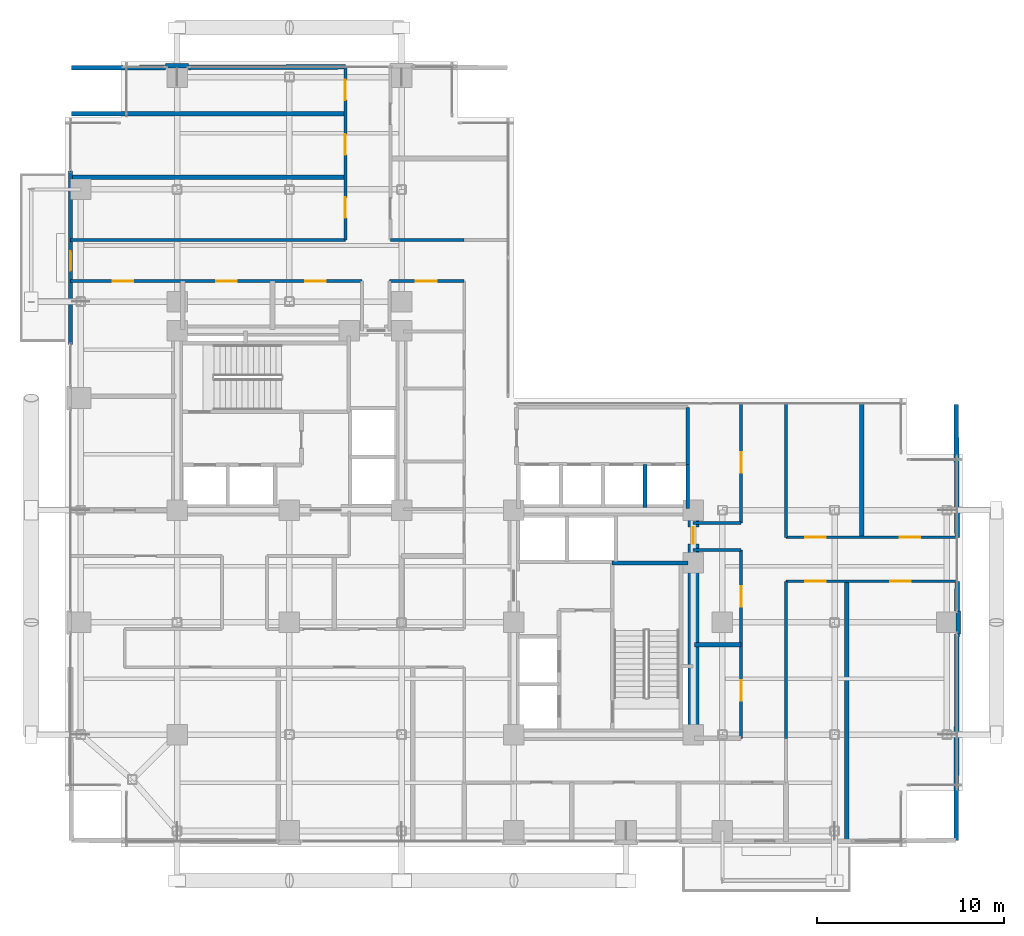
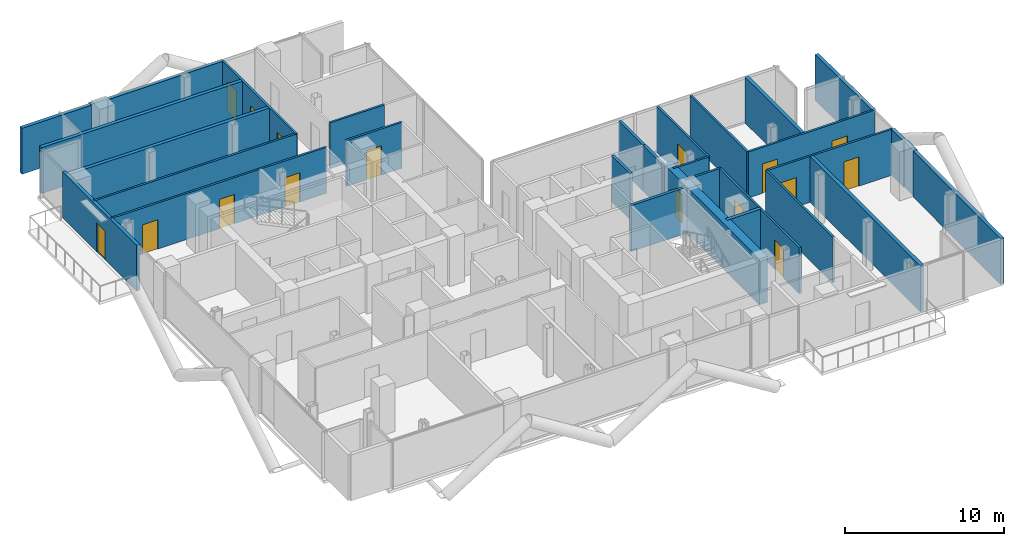
# One storey, part 24 of 28: 31 walls, 16 doors, 16 openings.
"""IFC4 building model written with IfcOpenShell, lengths in metres."""

from ifc_helpers import new_model, si_unit, direction, frame, frame_2d, origin, place, context, subcontext, project, spatial, rectangle, extrude, material, layer, layer_set, type_object, element, fill, save


model = new_model("IFC4")

# Units and contexts
model_context = context("Model", 3, precision=1e-05, world=origin(), true_north=direction((0.0, 1.0)))
body_context = subcontext(model_context, "Body", "Model", "MODEL_VIEW")
ifc_project = project(units=[si_unit("LENGTHUNIT", "METRE"), si_unit("AREAUNIT", "SQUARE_METRE"), si_unit("VOLUMEUNIT", "CUBIC_METRE"), si_unit("PLANEANGLEUNIT", "RADIAN"), si_unit("MASSUNIT", "GRAM", prefix="KILO"), si_unit("THERMODYNAMICTEMPERATUREUNIT", "KELVIN"), si_unit("POWERUNIT", "WATT")], contexts=[model_context])

# Site, building, storey
site_placement = place(None, origin())
site = spatial("IfcSite", under=ifc_project, at=site_placement, CompositionType="ELEMENT")
building_placement = place(site_placement, origin())
building = spatial("IfcBuilding", under=site, at=building_placement, Name="Svarakhadi Broadcast Tower", CompositionType="ELEMENT")
storey_placement = place(building_placement, frame((0.0, 0.0, 134.39990234375)))
storey = spatial("IfcBuildingStorey", under=building, at=storey_placement, Name="L32", CompositionType="ELEMENT", Elevation=134.39990234375)

# Walls
ifc_material_1 = material(Name="Double-Stud Acoustic Studio Partition STC-62", Category="gypsum")
ifc_layer_1 = layer(ifc_material_1, 0.25)
ifc_layer_set_1 = layer_set([ifc_layer_1], Name="Double-Stud Acoustic Studio Partition STC-62")
wall_type_1 = type_object("IfcWallType", Name="Wall_Acoust_250", PredefinedType="PARTITIONING", material=ifc_layer_set_1)
wall_1_placement = place(storey_placement, frame((33.64990234375, 10.800048828125, 0.0), z_axis=(0.0, 0.0, 1.0), x_axis=(1.0, 0.0, 0.0)))
element("IfcWall", 1, at=wall_1_placement, inside=storey, type_object=wall_type_1, Name="L32 Media Playout Monitoring Office Wall", PredefinedType="PARTITIONING", context=body_context, shape_type="SweptSolid", body=[
    extrude(rectangle(XDim=2.5, YDim=0.25, at=frame_2d((1.25, 0.0))), origin(), (0.0, 0.0, 1.0), 3.525146484375),
])
wall_2_placement = place(storey_placement, frame((41.800048828125, 0.300048828125, 0.0), z_axis=(0.0, 0.0, 1.0), x_axis=(0.0, 1.0, 0.0)))
element("IfcWall", 2, at=wall_2_placement, inside=storey, type_object=wall_type_1, Name="L32 Press Junket Interview Room Wall", PredefinedType="PARTITIONING", context=body_context, shape_type="SweptSolid", body=[
    extrude(rectangle(XDim=13.89990234375, YDim=0.25, at=frame_2d((6.949951171875, 0.0))), origin(), (0.0, 0.0, 1.0), 3.525146484375),
])
wall_3_placement = place(storey_placement, frame((47.64990234375, 0.35009765625, 0.0), z_axis=(0.0, 0.0, 1.0), x_axis=(0.003606251025, 0.999993497456, 0.0)))
element("IfcWall", 3, at=wall_3_placement, inside=storey, type_object=wall_type_1, Name="L32 Publicity Lounge Wall", PredefinedType="PARTITIONING", context=body_context, shape_type="SweptSolid", body=[
    extrude(rectangle(XDim=11.034912109375, YDim=0.25, at=frame_2d((5.517578125, 0.0))), origin(), (0.0, 0.0, 1.0), 3.525146484375),
])
wall_4_placement = place(storey_placement, frame((47.6943359375, 12.614990234375, 0.0), z_axis=(0.0, 0.0, 1.0), x_axis=(0.003542799701, 0.999993724265, 0.0)))
element("IfcWall", 4, at=wall_4_placement, inside=storey, type_object=wall_type_1, Name="L32 Publicity Lounge Wall", PredefinedType="PARTITIONING", context=body_context, shape_type="SweptSolid", body=[
    extrude(rectangle(XDim=1.5849609375, YDim=0.25, at=frame_2d((0.79248046875, 0.0))), origin(), (0.0, 0.0, 1.0), 3.525146484375),
])
wall_5_placement = place(storey_placement, frame((42.60009765625, 16.550048828125, 0.0), z_axis=(0.0, 0.0, 1.0), x_axis=(0.0, 1.0, 0.0)))
element("IfcWall", 5, at=wall_5_placement, inside=storey, type_object=wall_type_1, Name="L32 Broadcast Graphics Room Wall", PredefinedType="PARTITIONING", context=body_context, shape_type="SweptSolid", body=[
    extrude(rectangle(XDim=7.14990234375, YDim=0.25, at=frame_2d((3.574951171875, 0.0))), origin(), (0.0, 0.0, 1.0), 3.525146484375),
])
wall_6_placement = place(storey_placement, frame((47.699951171875, 16.550048828125, 0.0), z_axis=(0.0, 0.0, 1.0), x_axis=(-0.007049101019, 0.999975154779, 0.0)))
element("IfcWall", 6, at=wall_6_placement, inside=storey, type_object=wall_type_1, Name="L32 Graphics Workstation Office Wall", PredefinedType="PARTITIONING", context=body_context, shape_type="SweptSolid", body=[
    extrude(rectangle(XDim=7.10009765625, YDim=0.25, at=frame_2d((3.550048828125, 0.0))), origin(), (0.0, 0.0, 1.0), 3.525146484375),
])
wall_7_placement = place(storey_placement, frame((0.300048828125, 35.800048828125, 0.0), z_axis=(0.0, 0.0, 1.0), x_axis=(1.0, 0.0, 0.0)))
element("IfcWall", 7, at=wall_7_placement, inside=storey, type_object=wall_type_1, Name="L32 Distribution Deal Boardroom Wall", PredefinedType="PARTITIONING", context=body_context, shape_type="SweptSolid", body=[
    extrude(rectangle(XDim=14.699951171875, YDim=0.25, at=frame_2d((7.35009765625, 0.0))), origin(), (0.0, 0.0, 1.0), 3.525146484375),
])
wall_8_placement = place(storey_placement, frame((0.35009765625, 39.199951171875, 0.0), z_axis=(0.0, 0.0, 1.0), x_axis=(1.0, 0.0, 0.0)))
element("IfcWall", 8, at=wall_8_placement, inside=storey, type_object=wall_type_1, Name="L32 Festival Selection Room Wall", PredefinedType="PARTITIONING", context=body_context, shape_type="SweptSolid", body=[
    extrude(rectangle(XDim=14.64990234375, YDim=0.25, at=frame_2d((7.324951171875, 0.0))), origin(), (0.0, 0.0, 1.0), 3.525146484375),
])
wall_9_placement = place(storey_placement, frame((0.35009765625, 41.64990234375, 0.0), z_axis=(0.0, 0.0, 1.0), x_axis=(0.999994073761, 0.003442737683, 0.0)))
element("IfcWall", 9, at=wall_9_placement, inside=storey, type_object=wall_type_1, Name="L32 Publicist Office Wall", PredefinedType="PARTITIONING", context=body_context, shape_type="SweptSolid", body=[
    extrude(rectangle(XDim=5.034912109375, YDim=0.25, at=frame_2d((2.517578125, 0.0))), origin(), (0.0, 0.0, 1.0), 3.525146484375),
])
wall_10_placement = place(storey_placement, frame((6.614990234375, 41.67138671875, 0.0), z_axis=(0.0, 0.0, 1.0), x_axis=(0.999994197557, 0.003406589638, 0.0)))
element("IfcWall", 10, at=wall_10_placement, inside=storey, type_object=wall_type_1, Name="L32 Publicist Office Wall", PredefinedType="PARTITIONING", context=body_context, shape_type="SweptSolid", body=[
    extrude(rectangle(XDim=8.385009765625, YDim=0.25, at=frame_2d((4.1923828125, 0.0))), origin(), (0.0, 0.0, 1.0), 3.525146484375),
])

# Wall, opening, door
ifc_material_2 = material(Name="Concrete C40/50 (IS 456 M50)", Category="concrete")
ifc_layer_2 = layer(ifc_material_2, 0.239990234375)
ifc_layer_set_2 = layer_set([ifc_layer_2], Name="Concrete C40/50 (IS 456 M50)")
wall_type_2 = type_object("IfcWallType", Name="Wall_Ext_240", PredefinedType="SOLIDWALL", material=ifc_layer_set_2)
wall_11_placement = place(storey_placement, frame((0.300048828125, 26.85498046875, 0.0), z_axis=(0.0, 0.0, 1.0), x_axis=(0.0, 1.0, 0.0)))
wall_11 = element("IfcWall", 11, at=wall_11_placement, inside=storey, type_object=wall_type_2, Name="L32 West Tree Balcony Spandrel Wall", PredefinedType="SOLIDWALL", context=body_context, shape_type="SweptSolid", body=[
    extrude(rectangle(XDim=9.2900390625, YDim=0.239990234375, at=frame_2d((4.64501953125, 0.0))), origin(), (0.0, 0.0, 1.0), 3.525146484375),
])
opening_1_placement = place(wall_11_placement, frame((3.945068359375, 0.0, 0.0)))
opening_1 = element("IfcOpeningElement", 12, at=opening_1_placement, cuts=wall_11, Name="Opening ED-05", PredefinedType="OPENING", context=body_context, shape_type="SweptSolid", body=[
    extrude(rectangle(XDim=1.050048828125, YDim=2.199951171875, at=frame_2d((0.52490234375, 1.10009765625))), frame((0.0, 0.1298828125, 0.0), z_axis=(0.0, -1.0, 0.0), x_axis=(1.0, 0.0, 0.0)), (0.0, 0.0, 1.0), 0.260009765625),
])
ifc_material_3 = material(Name="Anodised Bronze Aluminium AA 6063-T6", Category="aluminium")
door_type_1 = type_object("IfcDoorType", Name="Door_Ext_ED05", OperationType="SINGLE_SWING_LEFT", PredefinedType="DOOR", material=ifc_material_3)
door_1_placement = place(opening_1_placement, origin())
door_1 = element("IfcDoor", 13, at=door_1_placement, inside=storey, type_object=door_type_1, Name="L32 West Tree Balcony Door", OperationType="SINGLE_SWING_LEFT", OverallHeight=2.199951171875, OverallWidth=1.050048828125, PredefinedType="DOOR", context=body_context, shape_type="SweptSolid", body=[
    extrude(rectangle(XDim=1.050048828125, YDim=2.199951171875, at=frame_2d((0.52490234375, 1.10009765625))), frame((0.0, 0.02490234375, 0.0), z_axis=(0.0, -1.0, 0.0), x_axis=(1.0, 0.0, 0.0)), (0.0, 0.0, 1.0), 0.050048828125),
])
fill(opening_1, door_1)

# Walls
for number, where, z_axis, x_axis, name in (
    (14, (5.385009765625, 41.760009765625, 0.0), (0.0, 0.0, 1.0), (1.0, 0.0, 0.0), "L32 Perimeter Bronze Spandrel Closure Wall 03"),
    (15, (47.760009765625, 12.614990234375, 0.0), (0.0, 0.0, 1.0), (0.0, -1.0, 0.0), "L32 Perimeter Bronze Spandrel Closure Wall 05"),
):
    element("IfcWall", number, at=place(storey_placement, frame(where, z_axis=z_axis, x_axis=x_axis)), inside=storey, type_object=wall_type_2, Name=name, PredefinedType="SOLIDWALL", context=body_context, shape_type="SweptSolid", body=[
        extrude(rectangle(XDim=1.22998046875, YDim=0.239990234375, at=frame_2d((0.614990234375, 0.0))), origin(), (0.0, 0.0, 1.0), 3.525146484375),
    ])

# Wall, openings, doors
ifc_material_4 = material(Name="Autoclaved Aerated Concrete Blockwork 150 mm", Category="masonry")
ifc_layer_3 = layer(ifc_material_4, 0.14990234375)
ifc_layer_set_3 = layer_set([ifc_layer_3], Name="Autoclaved Aerated Concrete Blockwork 150 mm")
wall_type_3 = type_object("IfcWallType", Name="Wall_Part_150", PredefinedType="PARTITIONING", material=ifc_layer_set_3)
wall_12_placement = place(storey_placement, frame((36.14990234375, 5.800048828125, 0.0), z_axis=(0.0, 0.0, 1.0), x_axis=(0.0, 1.0, 0.0)))
wall_12 = element("IfcWall", 16, at=wall_12_placement, inside=storey, type_object=wall_type_3, Name="L32 Zone 2/3 Corridor Wall", PredefinedType="PARTITIONING", context=body_context, shape_type="SweptSolid", body=[
    extrude(rectangle(XDim=10.079833984375, YDim=0.14990234375, at=frame_2d((5.0400390625, 0.0))), origin(), (0.0, 0.0, 1.0), 3.525146484375),
])
opening_2_placement = place(wall_12_placement, frame((2.0, 0.0, 0.0)))
opening_2 = element("IfcOpeningElement", 17, at=opening_2_placement, cuts=wall_12, Name="Opening D-11", PredefinedType="OPENING", context=body_context, shape_type="SweptSolid", body=[
    extrude(rectangle(XDim=1.10009765625, YDim=2.25, at=frame_2d((0.550048828125, 1.125))), frame((0.0, 0.0849609375, 0.0), z_axis=(0.0, -1.0, 0.0), x_axis=(1.0, 0.0, 0.0)), (0.0, 0.0, 1.0), 0.169921875),
])
opening_3_placement = place(wall_12_placement, frame((7.0400390625, 0.0, 0.0)))
opening_3 = element("IfcOpeningElement", 18, at=opening_3_placement, cuts=wall_12, Name="Opening D-11", PredefinedType="OPENING", context=body_context, shape_type="SweptSolid", body=[
    extrude(rectangle(XDim=1.10009765625, YDim=2.25, at=frame_2d((0.550048828125, 1.125))), frame((0.0, 0.0849609375, 0.0), z_axis=(0.0, -1.0, 0.0), x_axis=(1.0, 0.0, 0.0)), (0.0, 0.0, 1.0), 0.169921875),
])
ifc_material_5 = material(Name="Solid-Core Teak Veneer Acoustic Timber Leaf", Category="wood")
door_type_2 = type_object("IfcDoorType", Name="Door_Acoust_D11", OperationType="SINGLE_SWING_RIGHT", PredefinedType="DOOR", material=ifc_material_5)
door_2_placement = place(opening_2_placement, origin())
door_2 = element("IfcDoor", 19, at=door_2_placement, inside=storey, type_object=door_type_2, Name="L32 Media Playout Monitoring Office Door", OperationType="SINGLE_SWING_RIGHT", OverallHeight=2.25, OverallWidth=1.10009765625, PredefinedType="DOOR", context=body_context, shape_type="SweptSolid", body=[
    extrude(rectangle(XDim=1.10009765625, YDim=2.25, at=frame_2d((0.550048828125, 1.125))), frame((0.0, 0.02490234375, 0.0), z_axis=(0.0, -1.0, 0.0), x_axis=(1.0, 0.0, 0.0)), (0.0, 0.0, 1.0), 0.050048828125),
])
fill(opening_2, door_2)
door_3_placement = place(opening_3_placement, origin())
door_3 = element("IfcDoor", 20, at=door_3_placement, inside=storey, type_object=door_type_2, Name="L32 Broadcast Ingest Studio Door", OperationType="SINGLE_SWING_RIGHT", OverallHeight=2.25, OverallWidth=1.10009765625, PredefinedType="DOOR", context=body_context, shape_type="SweptSolid", body=[
    extrude(rectangle(XDim=1.10009765625, YDim=2.25, at=frame_2d((0.550048828125, 1.125))), frame((0.0, 0.02490234375, 0.0), z_axis=(0.0, -1.0, 0.0), x_axis=(1.0, 0.0, 0.0)), (0.0, 0.0, 1.0), 0.050048828125),
])
fill(opening_3, door_3)

# Walls
for number, where, z_axis, x_axis, name in (
    (21, (36.14990234375, 15.8798828125, 0.0), (0.0, 0.0, 1.0), (-1.0, 0.0, 0.0), "L32 Zone 2/3 Corridor Wall"),
    (22, (33.580078125, 17.320068359375, 0.0), (0.0, 0.0, 1.0), (1.0, 0.0, 0.0), "L32 Zone 2/3 Corridor Wall"),
):
    element("IfcWall", number, at=place(storey_placement, frame(where, z_axis=z_axis, x_axis=x_axis)), inside=storey, type_object=wall_type_3, Name=name, PredefinedType="PARTITIONING", context=body_context, shape_type="SweptSolid", body=[
        extrude(rectangle(XDim=2.56982421875, YDim=0.14990234375, at=frame_2d((1.284912109375, 0.0))), origin(), (0.0, 0.0, 1.0), 3.525146484375),
    ])

# Wall, opening, door
wall_13_placement = place(storey_placement, frame((36.14990234375, 17.320068359375, 0.0), z_axis=(0.0, 0.0, 1.0), x_axis=(0.0, 1.0, 0.0)))
wall_13 = element("IfcWall", 23, at=wall_13_placement, inside=storey, type_object=wall_type_3, Name="L32 Zone 2/3 Corridor Wall", PredefinedType="PARTITIONING", context=body_context, shape_type="SweptSolid", body=[
    extrude(rectangle(XDim=6.3798828125, YDim=0.14990234375, at=frame_2d((3.18994140625, 0.0))), origin(), (0.0, 0.0, 1.0), 3.525146484375),
])
opening_4_placement = place(wall_13_placement, frame((2.679931640625, 0.0, 0.0)))
opening_4 = element("IfcOpeningElement", 24, at=opening_4_placement, cuts=wall_13, Name="Opening D-11", PredefinedType="OPENING", context=body_context, shape_type="SweptSolid", body=[
    extrude(rectangle(XDim=1.10009765625, YDim=2.25, at=frame_2d((0.550048828125, 1.125))), frame((0.0, 0.0849609375, 0.0), z_axis=(0.0, -1.0, 0.0), x_axis=(1.0, 0.0, 0.0)), (0.0, 0.0, 1.0), 0.169921875),
])
door_4_placement = place(opening_4_placement, origin())
door_4 = element("IfcDoor", 25, at=door_4_placement, inside=storey, type_object=door_type_2, Name="L32 Post-Production Coordination Office Door", OperationType="SINGLE_SWING_RIGHT", OverallHeight=2.25, OverallWidth=1.10009765625, PredefinedType="DOOR", context=body_context, shape_type="SweptSolid", body=[
    extrude(rectangle(XDim=1.10009765625, YDim=2.25, at=frame_2d((0.550048828125, 1.125))), frame((0.0, 0.02490234375, 0.0), z_axis=(0.0, -1.0, 0.0), x_axis=(1.0, 0.0, 0.0)), (0.0, 0.0, 1.0), 0.050048828125),
])
fill(opening_4, door_4)

# Wall
wall_14_placement = place(storey_placement, frame((38.550048828125, 23.699951171875, 0.0), z_axis=(0.0, 0.0, 1.0), x_axis=(0.0, -1.0, 0.0)))
element("IfcWall", 26, at=wall_14_placement, inside=storey, type_object=wall_type_3, Name="L32 Zone 2/3 Corridor Wall", PredefinedType="PARTITIONING", context=body_context, shape_type="SweptSolid", body=[
    extrude(rectangle(XDim=7.14990234375, YDim=0.14990234375, at=frame_2d((3.574951171875, 0.0))), origin(), (0.0, 0.0, 1.0), 3.525146484375),
])

# Wall, openings, doors
wall_15_placement = place(storey_placement, frame((38.550048828125, 16.550048828125, 0.0), z_axis=(0.0, 0.0, 1.0), x_axis=(1.0, 0.0, 0.0)))
wall_15 = element("IfcWall", 27, at=wall_15_placement, inside=storey, type_object=wall_type_3, Name="L32 Zone 2/3 Corridor Wall", PredefinedType="PARTITIONING", context=body_context, shape_type="SweptSolid", body=[
    extrude(rectangle(XDim=9.14990234375, YDim=0.14990234375, at=frame_2d((4.574951171875, 0.0))), origin(), (0.0, 0.0, 1.0), 3.525146484375),
])
opening_5_placement = place(wall_15_placement, frame((1.030029296875, 0.0, 0.0)))
opening_5 = element("IfcOpeningElement", 28, at=opening_5_placement, cuts=wall_15, Name="Opening D-10", PredefinedType="OPENING", context=body_context, shape_type="SweptSolid", body=[
    extrude(rectangle(XDim=1.10009765625, YDim=2.25, at=frame_2d((0.550048828125, 1.125))), frame((0.0, 0.0849609375, 0.0), z_axis=(0.0, -1.0, 0.0), x_axis=(1.0, 0.0, 0.0)), (0.0, 0.0, 1.0), 0.169921875),
])
opening_6_placement = place(wall_15_placement, frame((6.074951171875, 0.0, 0.0)))
opening_6 = element("IfcOpeningElement", 29, at=opening_6_placement, cuts=wall_15, Name="Opening D-11", PredefinedType="OPENING", context=body_context, shape_type="SweptSolid", body=[
    extrude(rectangle(XDim=1.10009765625, YDim=2.25, at=frame_2d((0.550048828125, 1.125))), frame((0.0, 0.0849609375, 0.0), z_axis=(0.0, -1.0, 0.0), x_axis=(1.0, 0.0, 0.0)), (0.0, 0.0, 1.0), 0.169921875),
])
door_type_3 = type_object("IfcDoorType", Name="Door_Acoust_D10", OperationType="SINGLE_SWING_LEFT", PredefinedType="DOOR", material=ifc_material_5)
door_5_placement = place(opening_5_placement, origin())
door_5 = element("IfcDoor", 30, at=door_5_placement, inside=storey, type_object=door_type_3, Name="L32 Broadcast Graphics Room Door", OperationType="SINGLE_SWING_LEFT", OverallHeight=2.25, OverallWidth=1.10009765625, PredefinedType="DOOR", context=body_context, shape_type="SweptSolid", body=[
    extrude(rectangle(XDim=1.10009765625, YDim=2.25, at=frame_2d((0.550048828125, 1.125))), frame((0.0, 0.02490234375, 0.0), z_axis=(0.0, -1.0, 0.0), x_axis=(1.0, 0.0, 0.0)), (0.0, 0.0, 1.0), 0.050048828125),
])
fill(opening_5, door_5)
door_6_placement = place(opening_6_placement, origin())
door_6 = element("IfcDoor", 31, at=door_6_placement, inside=storey, type_object=door_type_2, Name="L32 Graphics Workstation Office Door", OperationType="SINGLE_SWING_RIGHT", OverallHeight=2.25, OverallWidth=1.10009765625, PredefinedType="DOOR", context=body_context, shape_type="SweptSolid", body=[
    extrude(rectangle(XDim=1.10009765625, YDim=2.25, at=frame_2d((0.550048828125, 1.125))), frame((0.0, 0.02490234375, 0.0), z_axis=(0.0, -1.0, 0.0), x_axis=(1.0, 0.0, 0.0)), (0.0, 0.0, 1.0), 0.050048828125),
])
fill(opening_6, door_6)

wall_16_placement = place(storey_placement, frame((47.699951171875, 14.199951171875, 0.0), z_axis=(0.0, 0.0, 1.0), x_axis=(-1.0, 0.0, 0.0)))
wall_16 = element("IfcWall", 32, at=wall_16_placement, inside=storey, type_object=wall_type_3, Name="L32 Zone 2/3 Corridor Wall", PredefinedType="PARTITIONING", context=body_context, shape_type="SweptSolid", body=[
    extrude(rectangle(XDim=9.14990234375, YDim=0.14990234375, at=frame_2d((4.574951171875, 0.0))), origin(), (0.0, 0.0, 1.0), 3.525146484375),
])
opening_7_placement = place(wall_16_placement, frame((7.02490234375, 0.0, 0.0)))
opening_7 = element("IfcOpeningElement", 33, at=opening_7_placement, cuts=wall_16, Name="Opening D-10", PredefinedType="OPENING", context=body_context, shape_type="SweptSolid", body=[
    extrude(rectangle(XDim=1.10009765625, YDim=2.25, at=frame_2d((0.550048828125, 1.125))), frame((0.0, 0.0849609375, 0.0), z_axis=(0.0, -1.0, 0.0), x_axis=(1.0, 0.0, 0.0)), (0.0, 0.0, 1.0), 0.169921875),
])
opening_8_placement = place(wall_16_placement, frame((2.47509765625, 0.0, 0.0)))
opening_8 = element("IfcOpeningElement", 34, at=opening_8_placement, cuts=wall_16, Name="Opening D-11", PredefinedType="OPENING", context=body_context, shape_type="SweptSolid", body=[
    extrude(rectangle(XDim=1.10009765625, YDim=2.25, at=frame_2d((0.550048828125, 1.125))), frame((0.0, 0.0849609375, 0.0), z_axis=(0.0, -1.0, 0.0), x_axis=(1.0, 0.0, 0.0)), (0.0, 0.0, 1.0), 0.169921875),
])
door_7_placement = place(opening_7_placement, origin())
door_7 = element("IfcDoor", 35, at=door_7_placement, inside=storey, type_object=door_type_3, Name="L32 Press Junket Interview Room Door", OperationType="SINGLE_SWING_LEFT", OverallHeight=2.25, OverallWidth=1.10009765625, PredefinedType="DOOR", context=body_context, shape_type="SweptSolid", body=[
    extrude(rectangle(XDim=1.10009765625, YDim=2.25, at=frame_2d((0.550048828125, 1.125))), frame((0.0, 0.02490234375, 0.0), z_axis=(0.0, -1.0, 0.0), x_axis=(1.0, 0.0, 0.0)), (0.0, 0.0, 1.0), 0.050048828125),
])
fill(opening_7, door_7)
door_8_placement = place(opening_8_placement, origin())
door_8 = element("IfcDoor", 36, at=door_8_placement, inside=storey, type_object=door_type_2, Name="L32 Publicity Lounge Door", OperationType="SINGLE_SWING_RIGHT", OverallHeight=2.25, OverallWidth=1.10009765625, PredefinedType="DOOR", context=body_context, shape_type="SweptSolid", body=[
    extrude(rectangle(XDim=1.10009765625, YDim=2.25, at=frame_2d((0.550048828125, 1.125))), frame((0.0, 0.02490234375, 0.0), z_axis=(0.0, -1.0, 0.0), x_axis=(1.0, 0.0, 0.0)), (0.0, 0.0, 1.0), 0.050048828125),
])
fill(opening_8, door_8)

# Wall
wall_17_placement = place(storey_placement, frame((38.550048828125, 14.199951171875, 0.0), z_axis=(0.0, 0.0, 1.0), x_axis=(0.0, -1.0, 0.0)))
element("IfcWall", 37, at=wall_17_placement, inside=storey, type_object=wall_type_3, Name="L32 Zone 2/3 Corridor Wall", PredefinedType="PARTITIONING", context=body_context, shape_type="SweptSolid", body=[
    extrude(rectangle(XDim=8.39990234375, YDim=0.14990234375, at=frame_2d((4.199951171875, 0.0))), origin(), (0.0, 0.0, 1.0), 3.525146484375),
])

# Wall, opening, door
wall_18_placement = place(storey_placement, frame((21.35009765625, 30.25, 0.0), z_axis=(0.0, 0.0, 1.0), x_axis=(-1.0, 0.0, 0.0)))
wall_18 = element("IfcWall", 38, at=wall_18_placement, inside=storey, type_object=wall_type_3, Name="L32 Zone 2/3 Corridor Wall", PredefinedType="PARTITIONING", context=body_context, shape_type="SweptSolid", body=[
    extrude(rectangle(XDim=4.0, YDim=0.14990234375, at=frame_2d((2.0, 0.0))), origin(), (0.0, 0.0, 1.0), 3.525146484375),
])
opening_9_placement = place(wall_18_placement, frame((1.47998046875, 0.0, 0.0)))
opening_9 = element("IfcOpeningElement", 39, at=opening_9_placement, cuts=wall_18, Name="Opening D-10", PredefinedType="OPENING", context=body_context, shape_type="SweptSolid", body=[
    extrude(rectangle(XDim=1.10009765625, YDim=2.25, at=frame_2d((0.550048828125, 1.125))), frame((0.0, 0.0849609375, 0.0), z_axis=(0.0, -1.0, 0.0), x_axis=(1.0, 0.0, 0.0)), (0.0, 0.0, 1.0), 0.169921875),
])
door_9_placement = place(opening_9_placement, origin())
door_9 = element("IfcDoor", 40, at=door_9_placement, inside=storey, type_object=door_type_3, Name="L32 Media Continuity Study Door", OperationType="SINGLE_SWING_LEFT", OverallHeight=2.25, OverallWidth=1.10009765625, PredefinedType="DOOR", context=body_context, shape_type="SweptSolid", body=[
    extrude(rectangle(XDim=1.10009765625, YDim=2.25, at=frame_2d((0.550048828125, 1.125))), frame((0.0, 0.02490234375, 0.0), z_axis=(0.0, -1.0, 0.0), x_axis=(1.0, 0.0, 0.0)), (0.0, 0.0, 1.0), 0.050048828125),
])
fill(opening_9, door_9)

# Wall, openings, doors
wall_19_placement = place(storey_placement, frame((15.8798828125, 30.25, 0.0), z_axis=(0.0, 0.0, 1.0), x_axis=(-1.0, 0.0, 0.0)))
wall_19 = element("IfcWall", 41, at=wall_19_placement, inside=storey, type_object=wall_type_3, Name="L32 Zone 2/3 Corridor Wall", PredefinedType="PARTITIONING", context=body_context, shape_type="SweptSolid", body=[
    extrude(rectangle(XDim=15.579833984375, YDim=0.14990234375, at=frame_2d((7.7900390625, 0.0))), origin(), (0.0, 0.0, 1.0), 3.525146484375),
])
opening_10_placement = place(wall_19_placement, frame((12.22998046875, 0.0, 0.0)))
opening_10 = element("IfcOpeningElement", 42, at=opening_10_placement, cuts=wall_19, Name="Opening D-11", PredefinedType="OPENING", context=body_context, shape_type="SweptSolid", body=[
    extrude(rectangle(XDim=1.10009765625, YDim=2.25, at=frame_2d((0.550048828125, 1.125))), frame((0.0, 0.0849609375, 0.0), z_axis=(0.0, -1.0, 0.0), x_axis=(1.0, 0.0, 0.0)), (0.0, 0.0, 1.0), 0.169921875),
])
opening_11_placement = place(wall_19_placement, frame((6.679931640625, 0.0, 0.0)))
opening_11 = element("IfcOpeningElement", 43, at=opening_11_placement, cuts=wall_19, Name="Opening D-10", PredefinedType="OPENING", context=body_context, shape_type="SweptSolid", body=[
    extrude(rectangle(XDim=1.10009765625, YDim=2.25, at=frame_2d((0.550048828125, 1.125))), frame((0.0, 0.0849609375, 0.0), z_axis=(0.0, -1.0, 0.0), x_axis=(1.0, 0.0, 0.0)), (0.0, 0.0, 1.0), 0.169921875),
])
opening_12_placement = place(wall_19_placement, frame((1.929931640625, 0.0, 0.0)))
opening_12 = element("IfcOpeningElement", 44, at=opening_12_placement, cuts=wall_19, Name="Opening D-10", PredefinedType="OPENING", context=body_context, shape_type="SweptSolid", body=[
    extrude(rectangle(XDim=1.10009765625, YDim=2.25, at=frame_2d((0.550048828125, 1.125))), frame((0.0, 0.0849609375, 0.0), z_axis=(0.0, -1.0, 0.0), x_axis=(1.0, 0.0, 0.0)), (0.0, 0.0, 1.0), 0.169921875),
])
door_10_placement = place(opening_11_placement, origin())
door_10 = element("IfcDoor", 45, at=door_10_placement, inside=storey, type_object=door_type_3, Name="L32 Acoustic Dubbing Booth Door", OperationType="SINGLE_SWING_LEFT", OverallHeight=2.25, OverallWidth=1.10009765625, PredefinedType="DOOR", context=body_context, shape_type="SweptSolid", body=[
    extrude(rectangle(XDim=1.10009765625, YDim=2.25, at=frame_2d((0.550048828125, 1.125))), frame((0.0, 0.02490234375, 0.0), z_axis=(0.0, -1.0, 0.0), x_axis=(1.0, 0.0, 0.0)), (0.0, 0.0, 1.0), 0.050048828125),
])
fill(opening_11, door_10)
door_11_placement = place(opening_12_placement, origin())
door_11 = element("IfcDoor", 46, at=door_11_placement, inside=storey, type_object=door_type_3, Name="L32 Editorial Color Grading Pod Door", OperationType="SINGLE_SWING_LEFT", OverallHeight=2.25, OverallWidth=1.10009765625, PredefinedType="DOOR", context=body_context, shape_type="SweptSolid", body=[
    extrude(rectangle(XDim=1.10009765625, YDim=2.25, at=frame_2d((0.550048828125, 1.125))), frame((0.0, 0.02490234375, 0.0), z_axis=(0.0, -1.0, 0.0), x_axis=(1.0, 0.0, 0.0)), (0.0, 0.0, 1.0), 0.050048828125),
])
fill(opening_12, door_11)
door_12_placement = place(opening_10_placement, origin())
door_12 = element("IfcDoor", 47, at=door_12_placement, inside=storey, type_object=door_type_2, Name="L32 Sunset Horizon Screening Room Door", OperationType="SINGLE_SWING_RIGHT", OverallHeight=2.25, OverallWidth=1.10009765625, PredefinedType="DOOR", context=body_context, shape_type="SweptSolid", body=[
    extrude(rectangle(XDim=1.10009765625, YDim=2.25, at=frame_2d((0.550048828125, 1.125))), frame((0.0, 0.02490234375, 0.0), z_axis=(0.0, -1.0, 0.0), x_axis=(1.0, 0.0, 0.0)), (0.0, 0.0, 1.0), 0.050048828125),
])
fill(opening_10, door_12)

# Wall
wall_20_placement = place(storey_placement, frame((0.300048828125, 32.449951171875, 0.0), z_axis=(0.0, 0.0, 1.0), x_axis=(1.0, 0.0, 0.0)))
element("IfcWall", 48, at=wall_20_placement, inside=storey, type_object=wall_type_3, Name="L32 Zone 2/3 Corridor Wall", PredefinedType="PARTITIONING", context=body_context, shape_type="SweptSolid", body=[
    extrude(rectangle(XDim=14.699951171875, YDim=0.14990234375, at=frame_2d((7.35009765625, 0.0))), origin(), (0.0, 0.0, 1.0), 3.525146484375),
])

# Wall, openings, doors
wall_21_placement = place(storey_placement, frame((15.0, 32.449951171875, 0.0), z_axis=(0.0, 0.0, 1.0), x_axis=(0.0, 1.0, 0.0)))
wall_21 = element("IfcWall", 49, at=wall_21_placement, inside=storey, type_object=wall_type_3, Name="L32 Zone 2/3 Corridor Wall", PredefinedType="PARTITIONING", context=body_context, shape_type="SweptSolid", body=[
    extrude(rectangle(XDim=9.25, YDim=0.14990234375, at=frame_2d((4.625, 0.0))), origin(), (0.0, 0.0, 1.0), 3.525146484375),
])
opening_13_placement = place(wall_21_placement, frame((1.175048828125, 0.0, 0.0)))
opening_13 = element("IfcOpeningElement", 50, at=opening_13_placement, cuts=wall_21, Name="Opening D-10", PredefinedType="OPENING", context=body_context, shape_type="SweptSolid", body=[
    extrude(rectangle(XDim=1.10009765625, YDim=2.25, at=frame_2d((0.550048828125, 1.125))), frame((0.0, 0.0849609375, 0.0), z_axis=(0.0, -1.0, 0.0), x_axis=(1.0, 0.0, 0.0)), (0.0, 0.0, 1.0), 0.169921875),
])
opening_14_placement = place(wall_21_placement, frame((4.550048828125, 0.0, 0.0)))
opening_14 = element("IfcOpeningElement", 51, at=opening_14_placement, cuts=wall_21, Name="Opening D-11", PredefinedType="OPENING", context=body_context, shape_type="SweptSolid", body=[
    extrude(rectangle(XDim=1.10009765625, YDim=2.25, at=frame_2d((0.550048828125, 1.125))), frame((0.0, 0.0849609375, 0.0), z_axis=(0.0, -1.0, 0.0), x_axis=(1.0, 0.0, 0.0)), (0.0, 0.0, 1.0), 0.169921875),
])
opening_15_placement = place(wall_21_placement, frame((7.47509765625, 0.0, 0.0)))
opening_15 = element("IfcOpeningElement", 52, at=opening_15_placement, cuts=wall_21, Name="Opening D-10", PredefinedType="OPENING", context=body_context, shape_type="SweptSolid", body=[
    extrude(rectangle(XDim=1.10009765625, YDim=2.25, at=frame_2d((0.550048828125, 1.125))), frame((0.0, 0.0849609375, 0.0), z_axis=(0.0, -1.0, 0.0), x_axis=(1.0, 0.0, 0.0)), (0.0, 0.0, 1.0), 0.169921875),
])
door_13_placement = place(opening_13_placement, origin())
door_13 = element("IfcDoor", 53, at=door_13_placement, inside=storey, type_object=door_type_3, Name="L32 Distribution Deal Boardroom Door", OperationType="SINGLE_SWING_LEFT", OverallHeight=2.25, OverallWidth=1.10009765625, PredefinedType="DOOR", context=body_context, shape_type="SweptSolid", body=[
    extrude(rectangle(XDim=1.10009765625, YDim=2.25, at=frame_2d((0.550048828125, 1.125))), frame((0.0, 0.02490234375, 0.0), z_axis=(0.0, -1.0, 0.0), x_axis=(1.0, 0.0, 0.0)), (0.0, 0.0, 1.0), 0.050048828125),
])
fill(opening_13, door_13)
door_14_placement = place(opening_15_placement, origin())
door_14 = element("IfcDoor", 54, at=door_14_placement, inside=storey, type_object=door_type_3, Name="L32 Publicist Office Door", OperationType="SINGLE_SWING_LEFT", OverallHeight=2.25, OverallWidth=1.10009765625, PredefinedType="DOOR", context=body_context, shape_type="SweptSolid", body=[
    extrude(rectangle(XDim=1.10009765625, YDim=2.25, at=frame_2d((0.550048828125, 1.125))), frame((0.0, 0.02490234375, 0.0), z_axis=(0.0, -1.0, 0.0), x_axis=(1.0, 0.0, 0.0)), (0.0, 0.0, 1.0), 0.050048828125),
])
fill(opening_15, door_14)
door_15_placement = place(opening_14_placement, origin())
door_15 = element("IfcDoor", 55, at=door_15_placement, inside=storey, type_object=door_type_2, Name="L32 Festival Selection Room Door", OperationType="SINGLE_SWING_RIGHT", OverallHeight=2.25, OverallWidth=1.10009765625, PredefinedType="DOOR", context=body_context, shape_type="SweptSolid", body=[
    extrude(rectangle(XDim=1.10009765625, YDim=2.25, at=frame_2d((0.550048828125, 1.125))), frame((0.0, 0.02490234375, 0.0), z_axis=(0.0, -1.0, 0.0), x_axis=(1.0, 0.0, 0.0)), (0.0, 0.0, 1.0), 0.050048828125),
])
fill(opening_14, door_15)

# Walls
wall_22_placement = place(storey_placement, frame((17.39990234375, 32.449951171875, 0.0), z_axis=(0.0, 0.0, 1.0), x_axis=(1.0, 0.0, 0.0)))
element("IfcWall", 56, at=wall_22_placement, inside=storey, type_object=wall_type_3, Name="L32 Zone 2/3 Corridor Wall", PredefinedType="PARTITIONING", context=body_context, shape_type="SweptSolid", body=[
    extrude(rectangle(XDim=3.9501953125, YDim=0.14990234375, at=frame_2d((1.97509765625, 0.0))), origin(), (0.0, 0.0, 1.0), 3.525146484375),
])
ifc_material_6 = material(Name="Concrete C50/60 (IS 456 M60)", Category="concrete")
ifc_layer_4 = layer(ifc_material_6, 0.199951171875)
ifc_layer_set_4 = layer_set([ifc_layer_4], Name="Concrete C50/60 (IS 456 M60)")
wall_type_4 = type_object("IfcWallType", Name="Wall_Shear_200", PredefinedType="SHEAR", material=ifc_layer_set_4)
wall_23_placement = place(storey_placement, frame((29.260009765625, 15.179931640625, 0.0), z_axis=(0.0, 0.0, 1.0), x_axis=(1.0, 0.0, 0.0)))
element("IfcWall", 57, at=wall_23_placement, inside=storey, type_object=wall_type_4, Name="L32 Stair ST-02 North RC Shaft Wall", PredefinedType="SHEAR", context=body_context, shape_type="SweptSolid", body=[
    extrude(rectangle(XDim=4.0400390625, YDim=0.199951171875, at=frame_2d((2.02001953125, 0.0))), origin(), (0.0, 0.0, 1.0), 3.525146484375),
])
wall_24_placement = place(storey_placement, frame((33.300048828125, 18.10009765625, 0.0), z_axis=(0.0, 0.0, 1.0), x_axis=(0.0, 1.0, 0.0)))
element("IfcWall", 58, at=wall_24_placement, inside=storey, type_object=wall_type_4, Name="L32 Bank B East Shaft Wall", PredefinedType="SHEAR", context=body_context, shape_type="SweptSolid", body=[
    extrude(rectangle(XDim=2.349853515625, YDim=0.199951171875, at=frame_2d((1.1748046875, 0.0))), origin(), (0.0, 0.0, 1.0), 3.525146484375),
])
wall_25_placement = place(storey_placement, frame((31.02001953125, 18.14990234375, 0.0), z_axis=(0.0, 0.0, 1.0), x_axis=(0.0, 1.0, 0.0)))
element("IfcWall", 59, at=wall_25_placement, inside=storey, type_object=wall_type_4, Name="L32 Bank B Divider", PredefinedType="SHEAR", context=body_context, shape_type="SweptSolid", body=[
    extrude(rectangle(XDim=2.300048828125, YDim=0.199951171875, at=frame_2d((1.14990234375, 0.0))), origin(), (0.0, 0.0, 1.0), 3.525146484375),
])
wall_26_placement = place(storey_placement, frame((33.300048828125, 20.449951171875, 0.0), z_axis=(0.0, 0.0, 1.0), x_axis=(0.0, 1.0, 0.0)))
element("IfcWall", 60, at=wall_26_placement, inside=storey, type_object=wall_type_4, Name="L32 Bank B Lift Hall East Wall", PredefinedType="SHEAR", context=body_context, shape_type="SweptSolid", body=[
    extrude(rectangle(XDim=3.050048828125, YDim=0.199951171875, at=frame_2d((1.52490234375, 0.0))), origin(), (0.0, 0.0, 1.0), 3.525146484375),
])

# Wall, opening, door
ifc_material_7 = material(Name="Concrete C60/75 (IS 456 M70)", Category="concrete")
ifc_layer_5 = layer(ifc_material_7, 0.60009765625)
ifc_layer_set_5 = layer_set([ifc_layer_5], Name="Concrete C60/75 (IS 456 M70)")
wall_type_5 = type_object("IfcWallType", Name="Wall_Shear_600", PredefinedType="SHEAR", material=ifc_layer_set_5)
wall_27_placement = place(storey_placement, frame((33.60009765625, 6.0, 0.0), z_axis=(0.0, 0.0, 1.0), x_axis=(0.0, 1.0, 0.0)))
wall_27 = element("IfcWall", 61, at=wall_27_placement, inside=storey, type_object=wall_type_5, Name="L32 East Core East Shear Wall", PredefinedType="SHEAR", context=body_context, shape_type="SweptSolid", body=[
    extrude(rectangle(XDim=12.0, YDim=0.60009765625, at=frame_2d((6.0, 0.0))), origin(), (0.0, 0.0, 1.0), 3.525146484375),
])
opening_16_placement = place(wall_27_placement, frame((10.199951171875, 0.0, 0.0)))
opening_16 = element("IfcOpeningElement", 62, at=opening_16_placement, cuts=wall_27, Name="Opening D-04", PredefinedType="OPENING", context=body_context, shape_type="SweptSolid", body=[
    extrude(rectangle(XDim=0.89990234375, YDim=2.14990234375, at=frame_2d((0.449951171875, 1.074951171875))), frame((0.0, 0.31005859375, 0.0), z_axis=(0.0, -1.0, 0.0), x_axis=(1.0, 0.0, 0.0)), (0.0, 0.0, 1.0), 0.6201171875),
])
ifc_material_8 = material(Name="Galvanised Powder-Coated Fire-Rated Steel Leaf", Category="steel")
door_type_4 = type_object("IfcDoorType", Name="Door_Fire_D04", OperationType="SINGLE_SWING_RIGHT", PredefinedType="DOOR", material=ifc_material_8)
door_16_placement = place(opening_16_placement, origin())
door_16 = element("IfcDoor", 63, at=door_16_placement, inside=storey, type_object=door_type_4, Name="L32 Core Service Room East Door", OperationType="SINGLE_SWING_RIGHT", OverallHeight=2.14990234375, OverallWidth=0.89990234375, PredefinedType="DOOR", context=body_context, shape_type="SweptSolid", body=[
    extrude(rectangle(XDim=0.89990234375, YDim=2.14990234375, at=frame_2d((0.449951171875, 1.074951171875))), frame((0.0, 0.02490234375, 0.0), z_axis=(0.0, -1.0, 0.0), x_axis=(1.0, 0.0, 0.0)), (0.0, 0.0, 1.0), 0.050048828125),
])
fill(opening_16, door_16)

save(model, "model.ifc")
